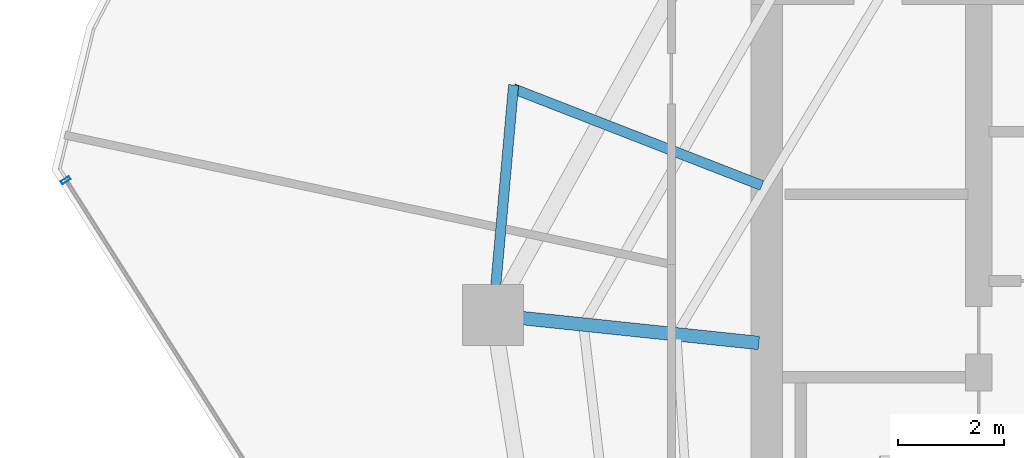
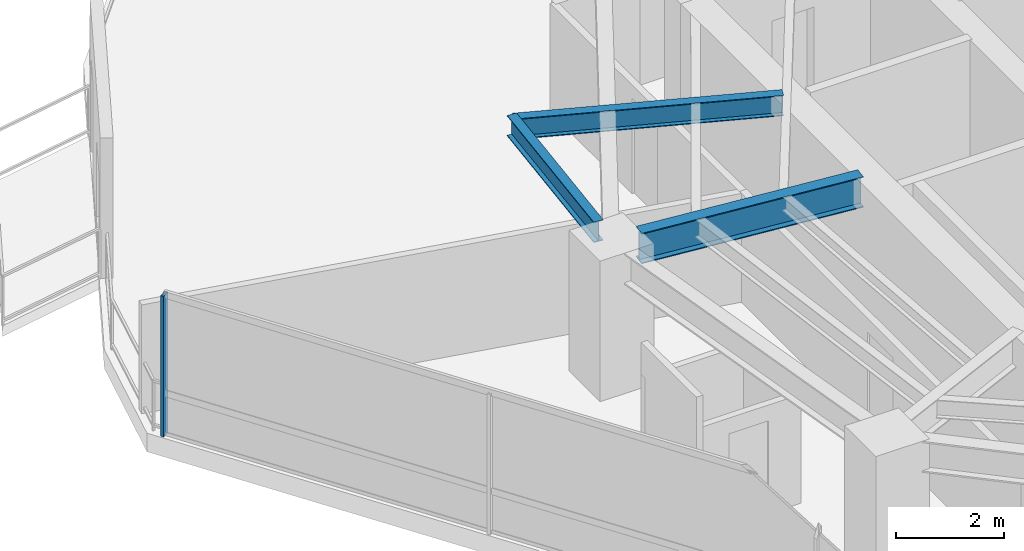
# One storey, part 7 of 25: 3 beams, 1 member, 1 element without a shape of its own.
"""IFC4 building model written with IfcOpenShell, lengths in metres."""

from ifc_helpers import new_model, si_unit, direction, frame, origin, origin_2d, place, context, subcontext, project, spatial, hollow_rectangle, i_section, extrude, material, layer, layer_set, material_profile, profile_set, type_object, element, aggregate, save


model = new_model("IFC4")

# Units and contexts
model_context = context("Model", 3, precision=1e-05, world=origin(), true_north=direction((0.0, 1.0)))
body_context = subcontext(model_context, "Body", "Model", "MODEL_VIEW")
ifc_project = project(units=[si_unit("LENGTHUNIT", "METRE"), si_unit("AREAUNIT", "SQUARE_METRE"), si_unit("VOLUMEUNIT", "CUBIC_METRE"), si_unit("PLANEANGLEUNIT", "RADIAN"), si_unit("MASSUNIT", "GRAM", prefix="KILO")], contexts=[model_context])

# Site, building, storey
site_placement = place(None, origin())
site = spatial("IfcSite", under=ifc_project, at=site_placement, CompositionType="ELEMENT")
building_placement = place(site_placement, origin())
building = spatial("IfcBuilding", under=site, at=building_placement, Name="Qarnah Convention Tower", CompositionType="ELEMENT")
storey_placement = place(building_placement, frame((0.0, 0.0, 76.35009765625)))
storey = spatial("IfcBuildingStorey", under=building, at=storey_placement, Name="L19", CompositionType="ELEMENT", Elevation=76.35009765625)

# Beams
ifc_material_1 = material(Name="Structural steel S355JR", Category="steel")
ifc_material_profile_1 = material_profile(ifc_material_1, i_section(OverallWidth=0.19189453125, OverallDepth=0.464111328125, WebThickness=0.010986328125, FlangeThickness=0.01806640625, at=origin_2d()), Name="W460X89")
ifc_profile_set_1 = profile_set([ifc_material_profile_1], Name="Structural steel S355JR")
beam_type_1 = type_object("IfcBeamType", Name="BM-CANT-W460A", PredefinedType="BEAM", material=ifc_profile_set_1)
beam_1_placement = place(storey_placement, frame((26.70703125, 30.48291015625, 2.93798828125), z_axis=(-0.93184170275, 0.362865045183, 0.0), x_axis=(-0.362865045183, -0.93184170275, 0.0)))
element("IfcBeam", 1, at=beam_1_placement, inside=storey, type_object=beam_type_1, Name="L19 beam BM-L19-CNT-02-1", PredefinedType="BEAM", context=body_context, shape_type="SweptSolid", body=[
    extrude(i_section(OverallWidth=0.19189453125, OverallDepth=0.464111328125, WebThickness=0.010986328125, FlangeThickness=0.01806640625, at=origin_2d()), origin(), (0.0, 0.0, 1.0), 5.035400390625),
])
beam_2_placement = place(storey_placement, frame((22.02099609375, 32.3798828125, 2.93798828125), z_axis=(-0.088250477094, -0.996098315074, 0.0), x_axis=(0.996098315074, -0.088250477094, 0.0)))
element("IfcBeam", 2, at=beam_2_placement, inside=storey, type_object=beam_type_1, Name="L19 spandrel BM-L19-CTIE-02", PredefinedType="SPANDREL", context=body_context, shape_type="SweptSolid", body=[
    extrude(i_section(OverallWidth=0.19189453125, OverallDepth=0.464111328125, WebThickness=0.010986328125, FlangeThickness=0.01806640625, at=origin_2d()), origin(), (0.0, 0.0, 1.0), 3.795654296875),
])
ifc_material_profile_2 = material_profile(ifc_material_1, i_section(OverallWidth=0.25390625, OverallDepth=0.68798828125, WebThickness=0.012939453125, FlangeThickness=0.02099609375, at=origin_2d()), Name="W690X152")
ifc_profile_set_2 = profile_set([ifc_material_profile_2], Name="Structural steel S355JR")
beam_type_2 = type_object("IfcBeamType", Name="BM-RAD-W690", PredefinedType="BEAM", material=ifc_profile_set_2)
beam_3_placement = place(storey_placement, frame((26.65087890625, 27.509033203125, 2.825927734375), z_axis=(-0.994523622606, 0.104512028393, 0.0), x_axis=(-0.104512028393, -0.994523622606, 0.0)))
element("IfcBeam", 3, at=beam_3_placement, inside=storey, type_object=beam_type_2, Name="L19 beam BM-L19-RAD-05", PredefinedType="BEAM", context=body_context, shape_type="SweptSolid", body=[
    extrude(i_section(OverallWidth=0.25390625, OverallDepth=0.68798828125, WebThickness=0.012939453125, FlangeThickness=0.02099609375, at=origin_2d()), origin(), (0.0, 0.0, 1.0), 4.487548828125),
])

# Curtain wall, member
ifc_material_2 = material(Name="Tempered Low-E dark glass", Category="glass")
ifc_layer = layer(ifc_material_2, 0.169921875)
ifc_layer_set = layer_set([ifc_layer], Name="Tempered Low-E dark glass")
curtain_wall_type = type_object("IfcCurtainWallType", Name="CWS-02", PredefinedType="NOTDEFINED", material=ifc_layer_set)
curtain_wall_placement = place(storey_placement, origin())
curtain_wall = element("IfcCurtainWall", 4, at=curtain_wall_placement, inside=storey, type_object=curtain_wall_type, Name="L19 unitised curtain wall CW-L19-F3", PredefinedType="NOTDEFINED")
ifc_material_3 = material(Name="Black anodised aluminium", Category="aluminium")
ifc_material_profile_3 = material_profile(ifc_material_3, hollow_rectangle(XDim=0.06494140625, YDim=0.179931640625, WallThickness=0.00390625, at=origin_2d()), Name="MUL-65X180")
ifc_profile_set_3 = profile_set([ifc_material_profile_3], Name="Black anodised aluminium")
member_type = type_object("IfcMemberType", Name="MUL-T2", PredefinedType="MULLION", material=ifc_profile_set_3)
member_placement = place(storey_placement, frame((13.56591796875, 30.5830078125, 0.0), z_axis=(0.0, 0.0, 1.0), x_axis=(-0.535845377326, 0.844316132499, 0.0)))
member = element("IfcMember", 5, at=member_placement, type_object=member_type, Name="CW-L19-F3 mullion 6", PredefinedType="MULLION", context=body_context, shape_type="SweptSolid", body=[
    extrude(hollow_rectangle(XDim=0.06494140625, YDim=0.179931640625, WallThickness=0.00390625, at=origin_2d()), origin(), (0.0, 0.0, 1.0), 3.169921875),
])
aggregate(curtain_wall, [member])

save(model, "model.ifc")
